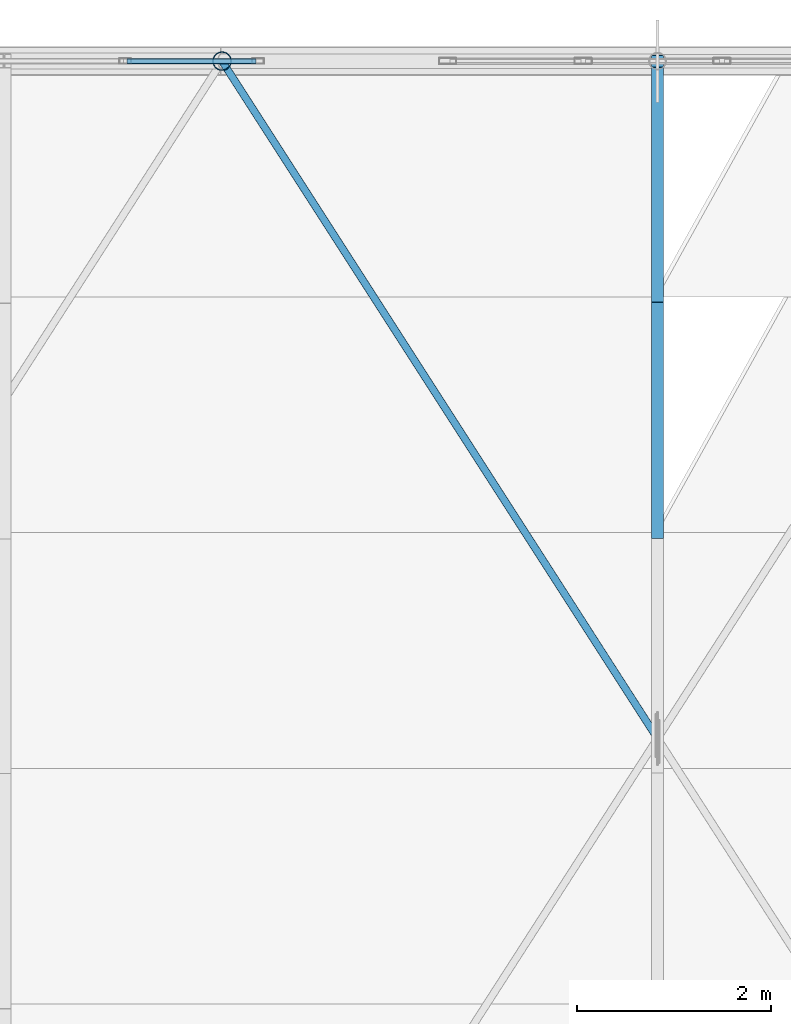
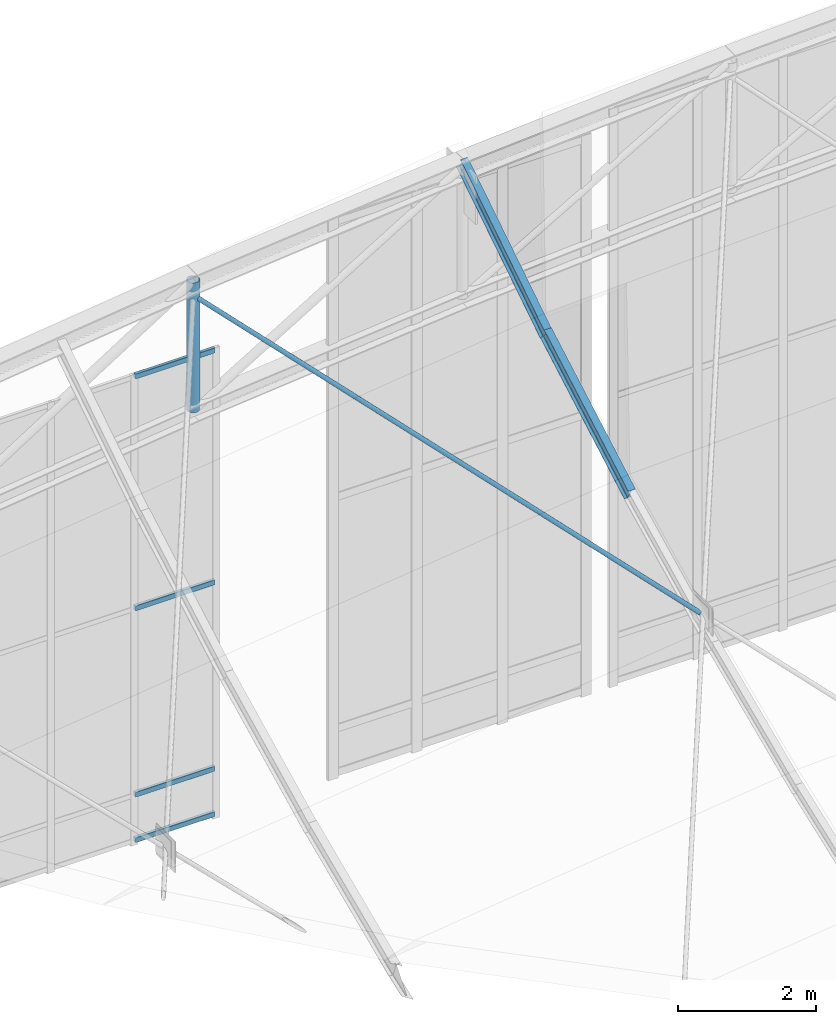
# One storey, part 205 of 262: 8 members, 1 element without a shape of its own.
"""IFC4 building model written with IfcOpenShell, lengths in metres."""

from ifc_helpers import new_model, si_unit, derived_unit, direction, frame, origin, origin_2d, place, context, subcontext, project, spatial, hollow_rectangle, hollow_circle, i_section, extrude, material, layer, layer_set, material_profile, profile_set, type_object, element, aggregate, save


model = new_model("IFC4")

# Units and contexts
model_context = context("Model", 3, precision=1e-05, world=origin(), true_north=direction((0.0, 1.0)))
body_context = subcontext(model_context, "Body", "Model", "MODEL_VIEW")
ifc_project = project(units=[si_unit("LENGTHUNIT", "METRE"), si_unit("AREAUNIT", "SQUARE_METRE"), si_unit("VOLUMEUNIT", "CUBIC_METRE"), si_unit("PLANEANGLEUNIT", "RADIAN"), si_unit("MASSUNIT", "GRAM", prefix="KILO"), derived_unit("THERMALTRANSMITTANCEUNIT", [(si_unit("POWERUNIT", "WATT"), 1), (si_unit("LENGTHUNIT", "METRE"), -2), (si_unit("THERMODYNAMICTEMPERATUREUNIT", "KELVIN"), -1)])], contexts=[model_context])

# Site, building, storey
site_placement = place(None, origin())
site = spatial("IfcSite", under=ifc_project, at=site_placement, CompositionType="ELEMENT")
building_placement = place(site_placement, origin())
building = spatial("IfcBuilding", under=site, at=building_placement, Name="Almenara Railside Exhibition Hall", CompositionType="ELEMENT")
storey_placement = place(building_placement, frame((0.0, 0.0, 21.699951171875)))
storey = spatial("IfcBuildingStorey", under=building, at=storey_placement, Name="RF", CompositionType="ELEMENT", Elevation=21.699951171875)

# Curtain wall, members
ifc_material_1 = material(Name="Bronze-anodised aluminium and low-E double glazing", Category="aluminium")
ifc_layer = layer(ifc_material_1, 0.179931640625, Name="Bronze-anodised aluminium and low-E double glazing")
ifc_layer_set = layer_set([ifc_layer], Name="Bronze-anodised aluminium and low-E double glazing")
curtain_wall_type = type_object("IfcCurtainWallType", Name="Scroll Gable Standard Curtain Wall 3600x5000", PredefinedType="NOTDEFINED", material=ifc_layer_set)
curtain_wall_placement = place(storey_placement, origin())
curtain_wall = element("IfcCurtainWall", 1, at=curtain_wall_placement, inside=storey, type_object=curtain_wall_type, Name="Curtain wall CW-G2-223", PredefinedType="NOTDEFINED")
ifc_material_2 = material(Name="Bronze-anodised aluminium", Category="aluminium")
ifc_material_profile_1 = material_profile(ifc_material_2, hollow_rectangle(XDim=0.054931640625, YDim=0.090087890625, WallThickness=0.0029296875, InnerFilletRadius=0.0029296875, OuterFilletRadius=0.006103515625, at=origin_2d()), Name="ALU-TRN 55x90x3")
ifc_profile_set_1 = profile_set([ifc_material_profile_1], Name="Bronze-anodised aluminium")
member_type_1 = type_object("IfcMemberType", Name="Curtain Wall Transom 55x90x3", PredefinedType="USERDEFINED", material=ifc_profile_set_1)
member_1_placement = place(storey_placement, frame((146.01953125, 132.0, -6.655029296875), z_axis=(1.0, 0.0, 0.0), x_axis=(0.0, 1.0, 0.0)))
member_1 = element("IfcMember", 2, at=member_1_placement, type_object=member_type_1, Name="CW-G2-223 transom 6.1", ObjectType="TRANSOM", PredefinedType="USERDEFINED", context=body_context, shape_type="SweptSolid", body=[
    extrude(hollow_rectangle(XDim=0.054931640625, YDim=0.090087890625, WallThickness=0.0029296875, InnerFilletRadius=0.0029296875, OuterFilletRadius=0.006103515625, at=origin_2d()), origin(), (0.0, 0.0, 1.0), 1.33349609375),
])
member_2_placement = place(storey_placement, frame((146.01953125, 132.0, -5.849853515625), z_axis=(1.0, 0.0, 0.0), x_axis=(0.0, 1.0, 0.0)))
member_2 = element("IfcMember", 3, at=member_2_placement, type_object=member_type_1, Name="CW-G2-223 transom 6.2", ObjectType="TRANSOM", PredefinedType="USERDEFINED", context=body_context, shape_type="SweptSolid", body=[
    extrude(hollow_rectangle(XDim=0.054931640625, YDim=0.090087890625, WallThickness=0.0029296875, InnerFilletRadius=0.0029296875, OuterFilletRadius=0.006103515625, at=origin_2d()), origin(), (0.0, 0.0, 1.0), 1.33349609375),
])
member_3_placement = place(storey_placement, frame((146.01953125, 132.0, -2.550048828125), z_axis=(1.0, 0.0, 0.0), x_axis=(0.0, 1.0, 0.0)))
member_3 = element("IfcMember", 4, at=member_3_placement, type_object=member_type_1, Name="CW-G2-223 transom 6.3", ObjectType="TRANSOM", PredefinedType="USERDEFINED", context=body_context, shape_type="SweptSolid", body=[
    extrude(hollow_rectangle(XDim=0.054931640625, YDim=0.090087890625, WallThickness=0.0029296875, InnerFilletRadius=0.0029296875, OuterFilletRadius=0.006103515625, at=origin_2d()), origin(), (0.0, 0.0, 1.0), 1.33349609375),
])
member_4_placement = place(storey_placement, frame((146.01953125, 132.0, 1.554931640625), z_axis=(1.0, 0.0, 0.0), x_axis=(0.0, 1.0, 0.0)))
member_4 = element("IfcMember", 5, at=member_4_placement, type_object=member_type_1, Name="CW-G2-223 transom 6.4", ObjectType="TRANSOM", PredefinedType="USERDEFINED", context=body_context, shape_type="SweptSolid", body=[
    extrude(hollow_rectangle(XDim=0.054931640625, YDim=0.090087890625, WallThickness=0.0029296875, InnerFilletRadius=0.0029296875, OuterFilletRadius=0.006103515625, at=origin_2d()), origin(), (0.0, 0.0, 1.0), 1.33349609375),
])
aggregate(curtain_wall, [member_1, member_2, member_3, member_4])

# Members
ifc_material_3 = material(Name="Structural steel S355JR", Category="steel")
ifc_material_profile_2 = material_profile(ifc_material_3, hollow_circle(Radius=0.0380859375, WallThickness=0.003662109375, at=origin_2d()), Name="CHS 76.1x3.6")
ifc_profile_set_2 = profile_set([ifc_material_profile_2], Name="Structural steel S355JR")
member_type_2 = type_object("IfcMemberType", Name="Lantern Cross-Tie Brace CHS 76.1x3.6 S355JR", PredefinedType="BRACE", material=ifc_profile_set_2)
member_5_placement = place(storey_placement, frame((151.478515625, 125.033203125, -0.3349609375), z_axis=(-0.508864256953, 0.791591279787, 0.338290428126), x_axis=(-0.841186137461, -0.540745672329, 0.0)))
element("IfcMember", 6, at=member_5_placement, inside=storey, type_object=member_type_2, Name="MEM-WB-V2-WB-CHS76-06-02-S2", PredefinedType="BRACE", context=body_context, shape_type="SweptSolid", body=[
    extrude(hollow_circle(Radius=0.0380859375, WallThickness=0.003662109375, at=origin_2d()), origin(), (0.0, 0.0, 1.0), 8.801025390625),
])
ifc_material_profile_3 = material_profile(ifc_material_3, i_section(OverallWidth=0.1201171875, OverallDepth=0.239990234375, WebThickness=0.006103515625, FlangeThickness=0.009765625, FilletRadius=0.014892578125, at=origin_2d()), Name="IPE 240")
ifc_profile_set_3 = profile_set([ifc_material_profile_3], Name="Structural steel S355JR")
member_type_3 = type_object("IfcMemberType", Name="Scroll Roof Purlin IPE 240 S355JR", PredefinedType="PURLIN", material=ifc_profile_set_3)
member_6_placement = place(storey_placement, frame((151.5, 127.126708984375, 0.500732421875), z_axis=(0.0, 0.870445855666, 0.492264169277), x_axis=(-1.0, 0.0, 0.0)))
element("IfcMember", 7, at=member_6_placement, inside=storey, type_object=member_type_3, Name="MEM-PR-V2-PR-IPE240-02-26", PredefinedType="PURLIN", context=body_context, shape_type="SweptSolid", body=[
    extrude(i_section(OverallWidth=0.1201171875, OverallDepth=0.239990234375, WebThickness=0.006103515625, FlangeThickness=0.009765625, FilletRadius=0.014892578125, at=origin_2d()), origin(), (0.0, 0.0, 1.0), 2.799072265625),
])
member_7_placement = place(storey_placement, frame((151.5, 129.563232421875, 1.8671875), z_axis=(0.0, 0.842265270347, 0.53906327492), x_axis=(-1.0, 0.0, 0.0)))
element("IfcMember", 8, at=member_7_placement, inside=storey, type_object=member_type_3, Name="MEM-PR-V2-PR-IPE240-02-27", PredefinedType="PURLIN", context=body_context, shape_type="SweptSolid", body=[
    extrude(i_section(OverallWidth=0.1201171875, OverallDepth=0.239990234375, WebThickness=0.006103515625, FlangeThickness=0.009765625, FilletRadius=0.014892578125, at=origin_2d()), origin(), (0.0, 0.0, 1.0), 2.89306640625),
])
ifc_material_profile_4 = material_profile(ifc_material_3, hollow_circle(Radius=0.096923828125, WallThickness=0.00634765625, at=origin_2d()), Name="CHS 193.7x6.3")
ifc_profile_set_4 = profile_set([ifc_material_profile_4], Name="Structural steel S355JR")
member_type_4 = type_object("IfcMemberType", Name="Truss Standard Vertical Strut CHS 193.7x6.3 S355JR", PredefinedType="BRACE", material=ifc_profile_set_4)
member_8_placement = place(storey_placement, frame((147.0, 132.0, 0.622314453125), z_axis=(0.0, 0.0, 1.0), x_axis=(1.0, 0.0, 0.0)))
element("IfcMember", 9, at=member_8_placement, inside=storey, type_object=member_type_4, Name="MEM-TV-V2-07-02", PredefinedType="BRACE", context=body_context, shape_type="SweptSolid", body=[
    extrude(hollow_circle(Radius=0.096923828125, WallThickness=0.00634765625, at=origin_2d()), origin(), (0.0, 0.0, 1.0), 2.300048828125),
])

save(model, "model.ifc")
